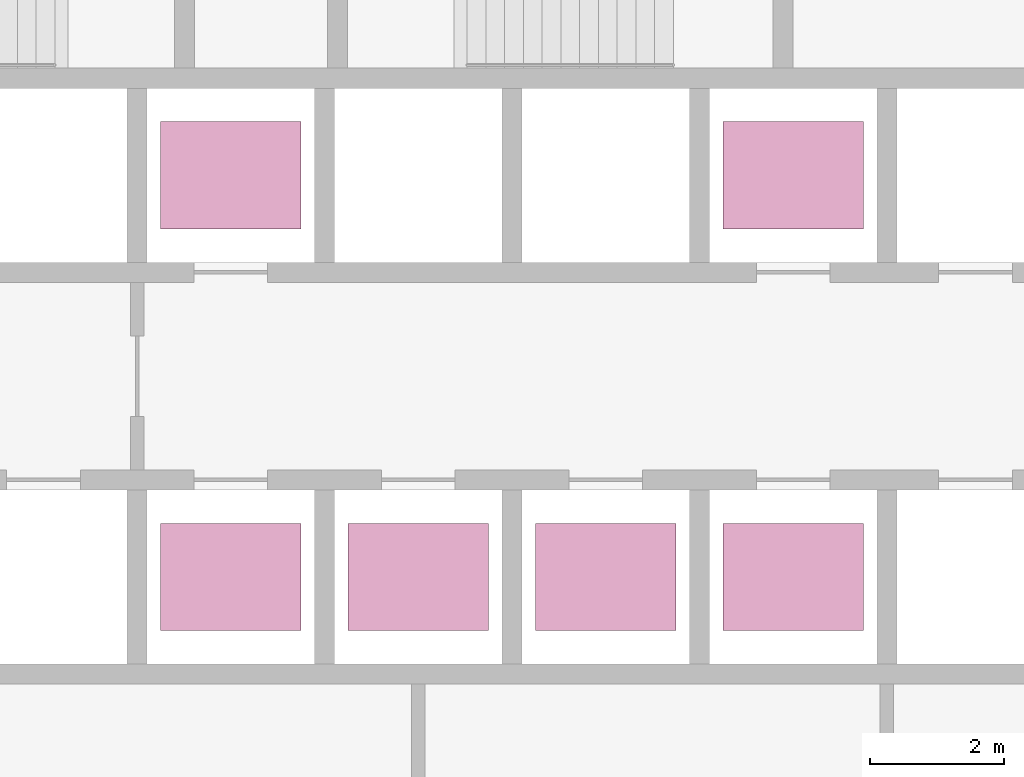
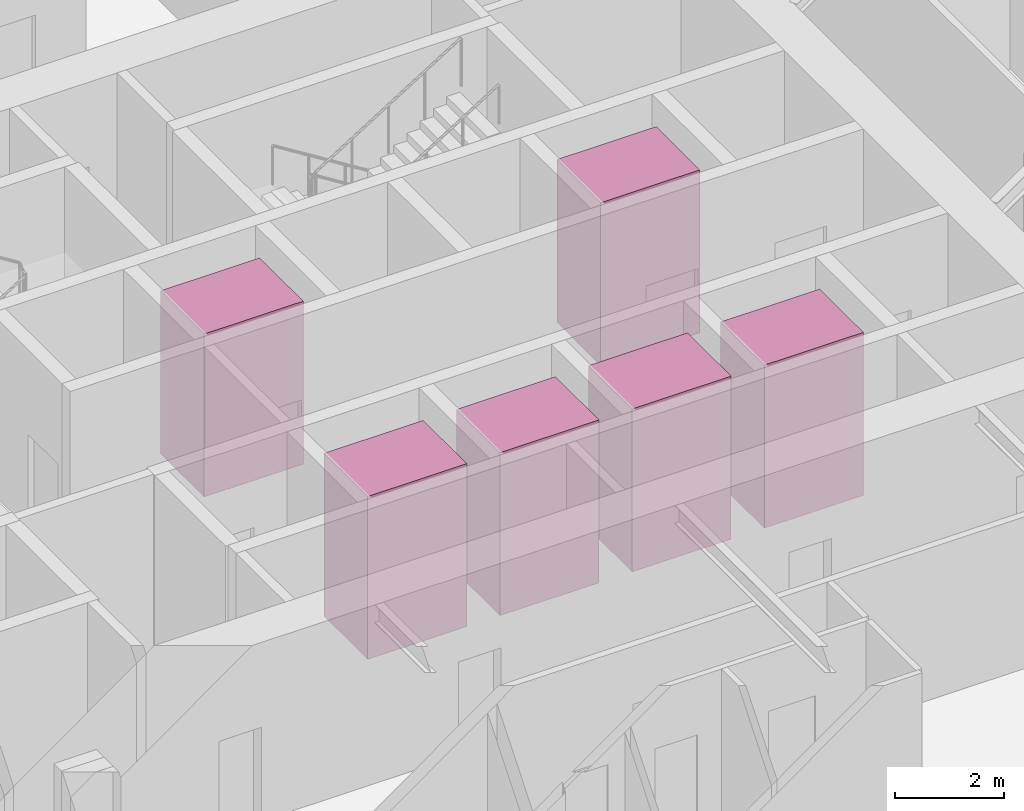
# One storey, part 25 of 25: 6 transport elements.
"""IFC4 building model written with IfcOpenShell, lengths in metres."""

from ifc_helpers import new_model, si_unit, direction, frame, origin, origin_2d, place, context, subcontext, project, spatial, rectangle, extrude, material, type_object, element, save


model = new_model("IFC4")

# Units and contexts
model_context = context("Model", 3, precision=1e-05, world=origin(), true_north=direction((0.0, 1.0)))
body_context = subcontext(model_context, "Body", "Model", "MODEL_VIEW")
ifc_project = project(units=[si_unit("LENGTHUNIT", "METRE"), si_unit("AREAUNIT", "SQUARE_METRE"), si_unit("VOLUMEUNIT", "CUBIC_METRE"), si_unit("PLANEANGLEUNIT", "RADIAN"), si_unit("MASSUNIT", "GRAM", prefix="KILO")], contexts=[model_context])

# Site, building, storey
site_placement = place(None, origin())
site = spatial("IfcSite", under=ifc_project, at=site_placement, CompositionType="ELEMENT")
building_placement = place(site_placement, origin())
building = spatial("IfcBuilding", under=site, at=building_placement, Name="Firuza Gate Tower and Library", CompositionType="ELEMENT")
storey_placement = place(building_placement, frame((0.0, 0.0, 61.0)))
storey = spatial("IfcBuildingStorey", under=building, at=storey_placement, Name="L13", CompositionType="ELEMENT", Elevation=61.0)

# Transport elements
ifc_material = material(Name="Stainless steel and glass", Category="steel")
transport_element_type = type_object("IfcTransportElementType", Name="Low-rise lift car 2100x1600", PredefinedType="ELEVATOR", material=ifc_material)
for number, where, z_axis, x_axis, name in (
    (1, (74.64990234375, 70.300048828125, 0.0), (0.0, 0.0, 1.0), (1.0, 0.0, 0.0), "Low-rise lift LR1"),
    (2, (77.449951171875, 70.300048828125, 0.0), (0.0, 0.0, 1.0), (1.0, 0.0, 0.0), "Low-rise lift LR2"),
    (3, (80.25, 70.300048828125, 0.0), (0.0, 0.0, 1.0), (1.0, 0.0, 0.0), "Low-rise lift LR3"),
    (4, (74.64990234375, 76.300048828125, 0.0), (0.0, 0.0, 1.0), (1.0, 0.0, 0.0), "Low-rise lift LR4"),
    (5, (83.050048828125, 70.300048828125, 0.0), (0.0, 0.0, 1.0), (1.0, 0.0, 0.0), "Low-rise lift LR5"),
    (6, (83.050048828125, 76.300048828125, 0.0), (0.0, 0.0, 1.0), (1.0, 0.0, 0.0), "Low-rise lift LR6"),
):
    element("IfcTransportElement", number, at=place(storey_placement, frame(where, z_axis=z_axis, x_axis=x_axis)), inside=storey, type_object=transport_element_type, Name=name, PredefinedType="ELEVATOR", context=body_context, shape_type="SweptSolid", body=[
        extrude(rectangle(XDim=2.10009765625, YDim=1.60009765625, at=origin_2d()), origin(), (0.0, 0.0, 1.0), 3.64990234375),
    ])

save(model, "model.ifc")
